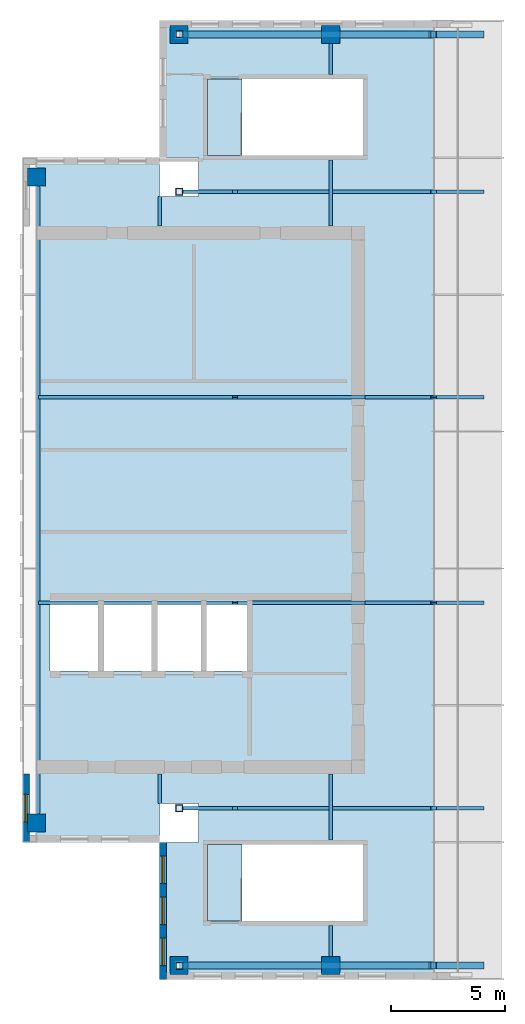
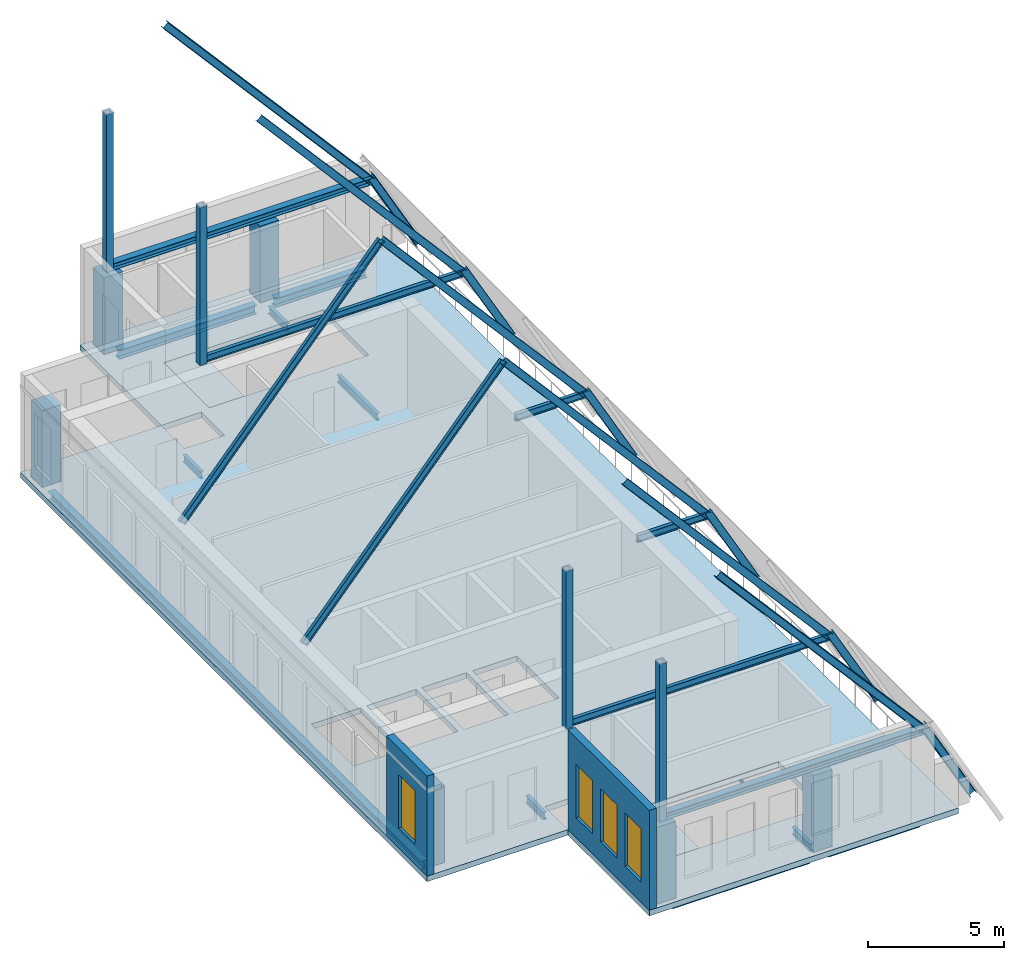
# One storey, part 1 of 4: 24 members, 11 beams, 6 columns, 4 windows, 3 slabs, 2 walls, 4 openings.
"""IFC4 building model written with IfcOpenShell, lengths in metres."""

from ifc_helpers import new_model, si_unit, direction, frame, frame_2d, origin, origin_2d, place, context, subcontext, project, spatial, polyline, rectangle, hollow_rectangle, i_section, outline, extrude, source, transform, mapped, material, layer, layer_set, material_profile, profile_set, type_object, element, fill, save


model = new_model("IFC4")

# Units and contexts
model_context = context("Model", 3, precision=1e-05, world=origin(), true_north=direction((0.0, 1.0)))
body_context = subcontext(model_context, "Body", "Model", "MODEL_VIEW")
ifc_project = project(units=[si_unit("LENGTHUNIT", "METRE"), si_unit("AREAUNIT", "SQUARE_METRE"), si_unit("VOLUMEUNIT", "CUBIC_METRE"), si_unit("PLANEANGLEUNIT", "RADIAN"), si_unit("MASSUNIT", "GRAM", prefix="KILO")], contexts=[model_context])

# Site, building, storey
site_placement = place(None, origin())
site = spatial("IfcSite", under=ifc_project, at=site_placement, CompositionType="ELEMENT")
building_placement = place(site_placement, origin())
building = spatial("IfcBuilding", under=site, at=building_placement, Name="Khomas Fold Tower", CompositionType="ELEMENT")
storey_placement = place(building_placement, frame((0.0, 0.0, 352.699951171875)))
storey = spatial("IfcBuildingStorey", under=building, at=storey_placement, Name="C6", CompositionType="ELEMENT", Elevation=352.699951171875)

# Columns
ifc_material_1 = material(Name="Concrete C50/60", Category="concrete")
ifc_material_profile_1 = material_profile(ifc_material_1, rectangle(XDim=0.800048828125, YDim=0.800048828125, at=origin_2d()), Name="RC 800x800")
ifc_profile_set_1 = profile_set([ifc_material_profile_1], Name="Concrete C50/60")
column_type = type_object("IfcColumnType", Name="RC 800x800 column", PredefinedType="COLUMN", material=ifc_profile_set_1)
shared_shape_1 = source(origin(), body_context, "Body", "SweptSolid", [
    extrude(rectangle(XDim=0.800048828125, YDim=0.800048828125, at=origin_2d()), origin(), (0.0, 0.0, 1.0), 3.449951171875),
])
for number, where, z_axis, x_axis, name in (
    (1, (12.85009765625, 6.60009765625, 0.0), (0.0, 0.0, 1.0), (1.0, 0.0, 0.0), "C-7-SF5"),
    (2, (19.5, 6.60009765625, 0.0), (0.0, 0.0, 1.0), (1.0, 0.0, 0.0), "C-8-SF5"),
    (3, (12.85009765625, 47.39990234375, 0.0), (0.0, 0.0, 1.0), (1.0, 0.0, 0.0), "C-7-NF5"),
    (4, (19.5, 47.39990234375, 0.0), (0.0, 0.0, 1.0), (1.0, 0.0, 0.0), "C-8-NF5"),
    (5, (6.60009765625, 12.85009765625, 0.0), (0.0, 0.0, 1.0), (1.0, 0.0, 0.0), "C-W5-G"),
    (6, (6.60009765625, 41.14990234375, 0.0), (0.0, 0.0, 1.0), (1.0, 0.0, 0.0), "C-W5-Q"),
):
    element("IfcColumn", number, at=place(storey_placement, frame(where, z_axis=z_axis, x_axis=x_axis)), inside=storey, type_object=column_type, Name=name, PredefinedType="COLUMN", context=body_context, shape_type="MappedRepresentation", body=[
        mapped(shared_shape_1, transform((0.0, 0.0, 0.0))),
    ])

# Beams
ifc_material_2 = material(Name="Steel S355", Category="steel")
ifc_material_profile_2 = material_profile(ifc_material_2, i_section(OverallWidth=0.159912109375, OverallDepth=0.330078125, WebThickness=0.007568359375, FlangeThickness=0.011474609375, at=origin_2d()), Name="IPE 330")
ifc_profile_set_2 = profile_set([ifc_material_profile_2], Name="Steel S355")
beam_type_1 = type_object("IfcBeamType", Name="IPE 330 beam JB1", PredefinedType="BEAM", material=ifc_profile_set_2)
shared_shape_2 = source(origin(), body_context, "Body", "SweptSolid", [
    extrude(i_section(OverallWidth=0.159912109375, OverallDepth=0.330078125, WebThickness=0.007568359375, FlangeThickness=0.011474609375, at=origin_2d()), origin(), (0.0, 0.0, 1.0), 2.89990234375),
])
for number, where, z_axis, x_axis, name in (
    (7, (19.5, 12.10009765625, -0.4150390625), (0.0, 1.0, 0.0), (-1.0, 0.0, 0.0), "JB1"),
    (8, (19.5, 39.0, -0.4150390625), (0.0, 1.0, 0.0), (-1.0, 0.0, 0.0), "JB1"),
):
    element("IfcBeam", number, at=place(storey_placement, frame(where, z_axis=z_axis, x_axis=x_axis)), inside=storey, type_object=beam_type_1, Name=name, PredefinedType="BEAM", context=body_context, shape_type="MappedRepresentation", body=[
        mapped(shared_shape_2, transform((0.0, 0.0, 0.0))),
    ])
shared_shape_3 = source(origin(), body_context, "Body", "SweptSolid", [
    extrude(i_section(OverallWidth=0.159912109375, OverallDepth=0.330078125, WebThickness=0.007568359375, FlangeThickness=0.011474609375, at=origin_2d()), origin(), (0.0, 0.0, 1.0), 1.35009765625),
])
for number, where, z_axis, x_axis, name in (
    (9, (19.5, 7.0, -0.4150390625), (0.0, 1.0, 0.0), (-1.0, 0.0, 0.0), "JB1"),
    (10, (19.5, 45.64990234375, -0.4150390625), (0.0, 1.0, 0.0), (-1.0, 0.0, 0.0), "JB1"),
):
    element("IfcBeam", number, at=place(storey_placement, frame(where, z_axis=z_axis, x_axis=x_axis)), inside=storey, type_object=beam_type_1, Name=name, PredefinedType="BEAM", context=body_context, shape_type="MappedRepresentation", body=[
        mapped(shared_shape_3, transform((0.0, 0.0, 0.0))),
    ])
ifc_material_3 = material(Name="Steel S355", Category="steel")
ifc_material_profile_3 = material_profile(ifc_material_3, i_section(OverallWidth=0.300048828125, OverallDepth=0.39990234375, WebThickness=0.013427734375, FlangeThickness=0.02392578125, at=origin_2d()), Name="HE 400 B")
ifc_profile_set_3 = profile_set([ifc_material_profile_3], Name="Steel S355")
beam_type_2 = type_object("IfcBeamType", Name="HE 400 B spandrel SB5", PredefinedType="SPANDREL", material=ifc_profile_set_3)
shared_shape_4 = source(origin(), body_context, "Body", "SweptSolid", [
    extrude(i_section(OverallWidth=0.300048828125, OverallDepth=0.39990234375, WebThickness=0.013427734375, FlangeThickness=0.02392578125, at=origin_2d()), origin(), (0.0, 0.0, 1.0), 5.85009765625),
])
for number, where, z_axis, x_axis, name in (
    (11, (13.25, 6.60009765625, -0.449951171875), (1.0, 0.0, 0.0), (0.0, 1.0, 0.0), "SB5"),
    (12, (13.25, 47.39990234375, -0.449951171875), (1.0, 0.0, 0.0), (0.0, 1.0, 0.0), "SB5"),
):
    element("IfcBeam", number, at=place(storey_placement, frame(where, z_axis=z_axis, x_axis=x_axis)), inside=storey, type_object=beam_type_2, Name=name, PredefinedType="SPANDREL", context=body_context, shape_type="MappedRepresentation", body=[
        mapped(shared_shape_4, transform((0.0, 0.0, 0.0))),
    ])
shared_shape_5 = source(origin(), body_context, "Body", "SweptSolid", [
    extrude(i_section(OverallWidth=0.300048828125, OverallDepth=0.39990234375, WebThickness=0.013427734375, FlangeThickness=0.02392578125, at=origin_2d()), origin(), (0.0, 0.0, 1.0), 27.5),
])
beam_placement = place(storey_placement, frame((6.60009765625, 13.25, -0.449951171875), z_axis=(0.0, 1.0, 0.0), x_axis=(-1.0, 0.0, 0.0)))
element("IfcBeam", 13, at=beam_placement, inside=storey, type_object=beam_type_2, Name="SB5", PredefinedType="SPANDREL", context=body_context, shape_type="MappedRepresentation", body=[
    mapped(shared_shape_5, transform((0.0, 0.0, 0.0))),
])
shared_shape_6 = source(origin(), body_context, "Body", "SweptSolid", [
    extrude(i_section(OverallWidth=0.159912109375, OverallDepth=0.330078125, WebThickness=0.007568359375, FlangeThickness=0.011474609375, at=origin_2d()), origin(), (0.0, 0.0, 1.0), 1.300048828125),
])
for number, where, z_axis, x_axis, name in (
    (14, (12.0, 13.699951171875, -0.4150390625), (0.0, 1.0, 0.0), (-1.0, 0.0, 0.0), "JB1"),
    (15, (12.0, 39.0, -0.4150390625), (0.0, 1.0, 0.0), (-1.0, 0.0, 0.0), "JB1"),
):
    element("IfcBeam", number, at=place(storey_placement, frame(where, z_axis=z_axis, x_axis=x_axis)), inside=storey, type_object=beam_type_1, Name=name, PredefinedType="BEAM", context=body_context, shape_type="MappedRepresentation", body=[
        mapped(shared_shape_6, transform((0.0, 0.0, 0.0))),
    ])
shared_shape_7 = source(origin(), body_context, "Body", "SweptSolid", [
    extrude(i_section(OverallWidth=0.300048828125, OverallDepth=0.39990234375, WebThickness=0.013427734375, FlangeThickness=0.02392578125, at=origin_2d()), origin(), (0.0, 0.0, 1.0), 3.900146484375),
])
for number, where, z_axis, x_axis, name in (
    (16, (19.89990234375, 6.60009765625, -0.449951171875), (1.0, 0.0, 0.0), (0.0, 1.0, 0.0), "SB5"),
    (17, (19.89990234375, 47.39990234375, -0.449951171875), (1.0, 0.0, 0.0), (0.0, 1.0, 0.0), "SB5"),
):
    element("IfcBeam", number, at=place(storey_placement, frame(where, z_axis=z_axis, x_axis=x_axis)), inside=storey, type_object=beam_type_2, Name=name, PredefinedType="SPANDREL", context=body_context, shape_type="MappedRepresentation", body=[
        mapped(shared_shape_7, transform((0.0, 0.0, 0.0))),
    ])

# Members
ifc_material_4 = material(Name="Steel S355", Category="steel")
ifc_material_profile_4 = material_profile(ifc_material_4, i_section(OverallWidth=0.300048828125, OverallDepth=0.300048828125, WebThickness=0.010986328125, FlangeThickness=0.01904296875, at=origin_2d()), Name="HE 300 B")
ifc_profile_set_4 = profile_set([ifc_material_profile_4], Name="Steel S355")
member_type_1 = type_object("IfcMemberType", Name="ROOF RAFTER W C6 HE 300 B", PredefinedType="RAFTER", material=ifc_profile_set_4)
shared_shape_8 = source(origin(), body_context, "Body", "SweptSolid", [
    extrude(i_section(OverallWidth=0.300048828125, OverallDepth=0.300048828125, WebThickness=0.010986328125, FlangeThickness=0.01904296875, at=origin_2d()), origin(), (0.0, 0.0, 1.0), 4.296630859375),
])
for number, where, z_axis, x_axis, name in (
    (18, (26.079345703125, 6.60009765625, 0.0), (-0.483943819585, 0.0, 0.875099068384), (0.0, -1.0, 0.0), "CF-R1-W-C6"),
    (19, (26.079345703125, 47.39990234375, 0.0), (-0.483943819585, 0.0, 0.875099068384), (0.0, -1.0, 0.0), "CF-R1-W-C6"),
):
    element("IfcMember", number, at=place(storey_placement, frame(where, z_axis=z_axis, x_axis=x_axis)), inside=storey, type_object=member_type_1, Name=name, PredefinedType="RAFTER", context=body_context, shape_type="MappedRepresentation", body=[
        mapped(shared_shape_8, transform((0.0, 0.0, 0.0))),
    ])
ifc_material_5 = material(Name="Steel S355", Category="steel")
ifc_material_profile_5 = material_profile(ifc_material_5, i_section(OverallWidth=0.14990234375, OverallDepth=0.300048828125, WebThickness=0.007080078125, FlangeThickness=0.0107421875, at=origin_2d()), Name="IPE 300")
ifc_profile_set_5 = profile_set([ifc_material_profile_5], Name="Steel S355")
member_type_2 = type_object("IfcMemberType", Name="ROOF RAFTER W C6 IPE 300", PredefinedType="RAFTER", material=ifc_profile_set_5)
shared_shape_9 = source(origin(), body_context, "Body", "SweptSolid", [
    extrude(i_section(OverallWidth=0.14990234375, OverallDepth=0.300048828125, WebThickness=0.007080078125, FlangeThickness=0.0107421875, at=origin_2d()), origin(), (0.0, 0.0, 1.0), 4.296630859375),
])
for number, where, z_axis, x_axis, name in (
    (20, (26.079345703125, 13.5, 0.0), (-0.483943819585, 0.0, 0.875099068384), (0.0, -1.0, 0.0), "CF-R2-W-C6"),
    (21, (26.079345703125, 22.5, 0.0), (-0.483943819585, 0.0, 0.875099068384), (0.0, -1.0, 0.0), "CF-R2-W-C6"),
    (22, (26.079345703125, 31.5, 0.0), (-0.483943819585, 0.0, 0.875099068384), (0.0, -1.0, 0.0), "CF-R2-W-C6"),
    (23, (26.079345703125, 40.5, 0.0), (-0.483943819585, 0.0, 0.875099068384), (0.0, -1.0, 0.0), "CF-R2-W-C6"),
):
    element("IfcMember", number, at=place(storey_placement, frame(where, z_axis=z_axis, x_axis=x_axis)), inside=storey, type_object=member_type_2, Name=name, PredefinedType="RAFTER", context=body_context, shape_type="MappedRepresentation", body=[
        mapped(shared_shape_9, transform((0.0, 0.0, 0.0))),
    ])
ifc_material_6 = material(Name="Steel S355", Category="steel")
ifc_material_profile_6 = material_profile(ifc_material_6, i_section(OverallWidth=0.300048828125, OverallDepth=0.300048828125, WebThickness=0.010986328125, FlangeThickness=0.01904296875, at=origin_2d()), Name="HE 300 B")
ifc_profile_set_6 = profile_set([ifc_material_profile_6], Name="Steel S355")
member_type_3 = type_object("IfcMemberType", Name="FLAT ROOF RAFTER C6 HE 300 B", PredefinedType="RAFTER", material=ifc_profile_set_6)
shared_shape_10 = source(origin(), body_context, "Body", "SweptSolid", [
    extrude(i_section(OverallWidth=0.300048828125, OverallDepth=0.300048828125, WebThickness=0.010986328125, FlangeThickness=0.01904296875, at=origin_2d()), origin(), (0.0, 0.0, 1.0), 11.14990234375),
])
for number, where, z_axis, x_axis, name in (
    (24, (12.85009765625, 6.60009765625, 3.60009765625), (1.0, 0.0, 0.0), (0.0, 1.0, 0.0), "CF-R4-C6"),
    (25, (12.85009765625, 47.39990234375, 3.60009765625), (1.0, 0.0, 0.0), (0.0, 1.0, 0.0), "CF-R4-C6"),
):
    element("IfcMember", number, at=place(storey_placement, frame(where, z_axis=z_axis, x_axis=x_axis)), inside=storey, type_object=member_type_3, Name=name, PredefinedType="RAFTER", context=body_context, shape_type="MappedRepresentation", body=[
        mapped(shared_shape_10, transform((0.0, 0.0, 0.0))),
    ])
ifc_material_7 = material(Name="Steel S355", Category="steel")
ifc_material_profile_7 = material_profile(ifc_material_7, i_section(OverallWidth=0.14990234375, OverallDepth=0.300048828125, WebThickness=0.007080078125, FlangeThickness=0.0107421875, at=origin_2d()), Name="IPE 300")
ifc_profile_set_7 = profile_set([ifc_material_profile_7], Name="Steel S355")
member_type_4 = type_object("IfcMemberType", Name="FLAT ROOF RAFTER C6 IPE 300", PredefinedType="RAFTER", material=ifc_profile_set_7)
shared_shape_11 = source(origin(), body_context, "Body", "SweptSolid", [
    extrude(i_section(OverallWidth=0.14990234375, OverallDepth=0.300048828125, WebThickness=0.007080078125, FlangeThickness=0.0107421875, at=origin_2d()), origin(), (0.0, 0.0, 1.0), 11.14990234375),
])
for number, where, z_axis, x_axis, name in (
    (26, (12.85009765625, 13.5, 3.60009765625), (1.0, 0.0, 0.0), (0.0, 1.0, 0.0), "CF-R3-C6"),
    (27, (12.85009765625, 40.5, 3.60009765625), (1.0, 0.0, 0.0), (0.0, 1.0, 0.0), "CF-R3-C6"),
):
    element("IfcMember", number, at=place(storey_placement, frame(where, z_axis=z_axis, x_axis=x_axis)), inside=storey, type_object=member_type_4, Name=name, PredefinedType="RAFTER", context=body_context, shape_type="MappedRepresentation", body=[
        mapped(shared_shape_11, transform((0.0, 0.0, 0.0))),
    ])
shared_shape_12 = source(origin(), body_context, "Body", "SweptSolid", [
    extrude(i_section(OverallWidth=0.14990234375, OverallDepth=0.300048828125, WebThickness=0.007080078125, FlangeThickness=0.0107421875, at=origin_2d()), origin(), (0.0, 0.0, 1.0), 3.0),
])
for number, where, z_axis, x_axis, name in (
    (28, (21.0, 22.5, 3.60009765625), (1.0, 0.0, 0.0), (0.0, 1.0, 0.0), "CF-R3-C6"),
    (29, (21.0, 31.5, 3.60009765625), (1.0, 0.0, 0.0), (0.0, 1.0, 0.0), "CF-R3-C6"),
):
    element("IfcMember", number, at=place(storey_placement, frame(where, z_axis=z_axis, x_axis=x_axis)), inside=storey, type_object=member_type_4, Name=name, PredefinedType="RAFTER", context=body_context, shape_type="MappedRepresentation", body=[
        mapped(shared_shape_12, transform((0.0, 0.0, 0.0))),
    ])
ifc_material_8 = material(Name="Steel S355", Category="steel")
ifc_material_profile_8 = material_profile(ifc_material_8, i_section(OverallWidth=0.300048828125, OverallDepth=0.300048828125, WebThickness=0.010986328125, FlangeThickness=0.01904296875, at=origin_2d()), Name="HE 300 B")
ifc_profile_set_8 = profile_set([ifc_material_profile_8], Name="Steel S355")
member_type_5 = type_object("IfcMemberType", Name="GABLE RAFTER E C6 HE 300 B", PredefinedType="RAFTER", material=ifc_profile_set_8)
shared_shape_13 = source(origin(), body_context, "Body", "SweptSolid", [
    extrude(i_section(OverallWidth=0.300048828125, OverallDepth=0.300048828125, WebThickness=0.010986328125, FlangeThickness=0.01904296875, at=origin_2d()), origin(), (0.0, 0.0, 1.0), 13.2548828125),
])
for number, where, z_axis, x_axis, name in (
    (30, (15.300048828125, 6.60009765625, 13.60009765625), (0.656363381591, 0.0, -0.754444902764), (0.0, 1.0, 0.0), "CF-R6-E-C6"),
    (31, (15.300048828125, 47.39990234375, 13.60009765625), (0.656363381591, 0.0, -0.754444902764), (0.0, 1.0, 0.0), "CF-R6-E-C6"),
):
    element("IfcMember", number, at=place(storey_placement, frame(where, z_axis=z_axis, x_axis=x_axis)), inside=storey, type_object=member_type_5, Name=name, PredefinedType="RAFTER", context=body_context, shape_type="MappedRepresentation", body=[
        mapped(shared_shape_13, transform((0.0, 0.0, 0.0))),
    ])
ifc_material_9 = material(Name="Steel S355", Category="steel")
ifc_material_profile_9 = material_profile(ifc_material_9, hollow_rectangle(XDim=0.300048828125, YDim=0.300048828125, WallThickness=0.01611328125, at=origin_2d()), Name="SHS 300x300x16")
ifc_profile_set_9 = profile_set([ifc_material_profile_9], Name="Steel S355")
member_type_6 = type_object("IfcMemberType", Name="GABLE POST C6 SHS 300x300x16", PredefinedType="POST", material=ifc_profile_set_9)
shared_shape_14 = source(origin(), body_context, "Body", "SweptSolid", [
    extrude(hollow_rectangle(XDim=0.300048828125, YDim=0.300048828125, WallThickness=0.01611328125, at=origin_2d()), origin(), (0.0, 0.0, 1.0), 7.10546875),
])
for number, where, z_axis, x_axis, name in (
    (32, (12.85009765625, 6.60009765625, 3.449951171875), (0.0, 0.0, 1.0), (1.0, 0.0, 0.0), "CF-PG-C6"),
    (33, (12.85009765625, 13.5, 3.449951171875), (0.0, 0.0, 1.0), (1.0, 0.0, 0.0), "CF-PG-C6"),
    (34, (12.85009765625, 40.5, 3.449951171875), (0.0, 0.0, 1.0), (1.0, 0.0, 0.0), "CF-PG-C6"),
    (35, (12.85009765625, 47.39990234375, 3.449951171875), (0.0, 0.0, 1.0), (1.0, 0.0, 0.0), "CF-PG-C6"),
):
    element("IfcMember", number, at=place(storey_placement, frame(where, z_axis=z_axis, x_axis=x_axis)), inside=storey, type_object=member_type_6, Name=name, PredefinedType="POST", context=body_context, shape_type="MappedRepresentation", body=[
        mapped(shared_shape_14, transform((0.0, 0.0, 0.0))),
    ])
ifc_material_10 = material(Name="Steel S355", Category="steel")
ifc_material_profile_10 = material_profile(ifc_material_10, i_section(OverallWidth=0.14990234375, OverallDepth=0.300048828125, WebThickness=0.007080078125, FlangeThickness=0.0107421875, at=origin_2d()), Name="IPE 300")
ifc_profile_set_10 = profile_set([ifc_material_profile_10], Name="Steel S355")
member_type_7 = type_object("IfcMemberType", Name="GABLE RAFTER E C6 IPE 300", PredefinedType="RAFTER", material=ifc_profile_set_10)
shared_shape_15 = source(origin(), body_context, "Body", "SweptSolid", [
    extrude(i_section(OverallWidth=0.14990234375, OverallDepth=0.300048828125, WebThickness=0.007080078125, FlangeThickness=0.0107421875, at=origin_2d()), origin(), (0.0, 0.0, 1.0), 13.2548828125),
])
for number, where, z_axis, x_axis, name in (
    (36, (15.300048828125, 13.5, 13.60009765625), (0.656363381591, 0.0, -0.754444902764), (0.0, 1.0, 0.0), "CF-R5-E-C6"),
    (37, (15.300048828125, 22.5, 13.60009765625), (0.656363381591, 0.0, -0.754444902764), (0.0, 1.0, 0.0), "CF-R5-E-C6"),
    (38, (15.300048828125, 31.5, 13.60009765625), (0.656363381591, 0.0, -0.754444902764), (0.0, 1.0, 0.0), "CF-R5-E-C6"),
    (39, (15.300048828125, 40.5, 13.60009765625), (0.656363381591, 0.0, -0.754444902764), (0.0, 1.0, 0.0), "CF-R5-E-C6"),
):
    element("IfcMember", number, at=place(storey_placement, frame(where, z_axis=z_axis, x_axis=x_axis)), inside=storey, type_object=member_type_7, Name=name, PredefinedType="RAFTER", context=body_context, shape_type="MappedRepresentation", body=[
        mapped(shared_shape_15, transform((0.0, 0.0, 0.0))),
    ])
ifc_material_11 = material(Name="Steel S355", Category="steel")
ifc_material_profile_11 = material_profile(ifc_material_11, i_section(OverallWidth=0.14990234375, OverallDepth=0.300048828125, WebThickness=0.007080078125, FlangeThickness=0.0107421875, at=origin_2d()), Name="IPE 300")
ifc_profile_set_11 = profile_set([ifc_material_profile_11], Name="Steel S355")
member_type_8 = type_object("IfcMemberType", Name="GABLE RAFTER W C6 IPE 300", PredefinedType="RAFTER", material=ifc_profile_set_11)
shared_shape_16 = source(origin(), body_context, "Body", "SweptSolid", [
    extrude(i_section(OverallWidth=0.14990234375, OverallDepth=0.300048828125, WebThickness=0.007080078125, FlangeThickness=0.0107421875, at=origin_2d()), origin(), (0.0, 0.0, 1.0), 12.9501953125),
])
for number, where, z_axis, x_axis, name in (
    (40, (6.800048828125, 22.5, 3.829833984375), (0.65635979123, 0.0, 0.754448026345), (0.0, 1.0, 0.0), "CF-R5-W-C6"),
    (41, (6.800048828125, 31.5, 3.829833984375), (0.65635979123, 0.0, 0.754448026345), (0.0, 1.0, 0.0), "CF-R5-W-C6"),
):
    element("IfcMember", number, at=place(storey_placement, frame(where, z_axis=z_axis, x_axis=x_axis)), inside=storey, type_object=member_type_8, Name=name, PredefinedType="RAFTER", context=body_context, shape_type="MappedRepresentation", body=[
        mapped(shared_shape_16, transform((0.0, 0.0, 0.0))),
    ])

# Slabs
ifc_material_12 = material(Name="Concrete C40/50", Category="concrete")
ifc_layer_1 = layer(ifc_material_12, 0.25)
ifc_layer_set_1 = layer_set([ifc_layer_1], Name="Concrete C40/50")
slab_type_1 = type_object("IfcSlabType", Name="RC floor slab 250", PredefinedType="FLOOR", material=ifc_layer_set_1)
shared_shape_17 = source(origin(), body_context, "Body", "SweptSolid", [
    extrude(outline(polyline([(6.0, 12.0), (11.9951171875, 12.0), (11.9951171875, 13.705078125), (13.705078125, 13.705078125), (13.705078125, 11.9951171875), (12.0, 11.9951171875), (12.0, 6.0), (25.161376953125, 6.0), (25.161376953125, 48.0), (12.0, 48.0), (12.0, 42.0048828125), (13.705078125, 42.0048828125), (13.705078125, 40.294921875), (11.9951171875, 40.294921875), (11.9951171875, 42.0), (6.0, 42.0), (6.0, 12.0)]), holes=[polyline([(6.195068359375, 12.445068359375), (6.195068359375, 13.2548828125), (7.0048828125, 13.2548828125), (7.0048828125, 12.445068359375), (6.195068359375, 12.445068359375)]), polyline([(6.195068359375, 40.7451171875), (6.195068359375, 41.554931640625), (7.0048828125, 41.554931640625), (7.0048828125, 40.7451171875), (6.195068359375, 40.7451171875)]), polyline([(7.199951171875, 19.5), (7.199951171875, 22.60009765625), (9.300048828125, 22.60009765625), (9.300048828125, 19.5), (7.199951171875, 19.5)]), polyline([(9.550048828125, 19.5), (9.550048828125, 22.60009765625), (11.64990234375, 22.60009765625), (11.64990234375, 19.5), (9.550048828125, 19.5)]), polyline([(11.89990234375, 19.5), (11.89990234375, 22.60009765625), (13.800048828125, 22.60009765625), (13.800048828125, 19.5), (11.89990234375, 19.5)]), polyline([(12.445068359375, 6.195068359375), (12.445068359375, 7.0048828125), (13.2548828125, 7.0048828125), (13.2548828125, 6.195068359375), (12.445068359375, 6.195068359375)]), polyline([(12.445068359375, 46.9951171875), (12.445068359375, 47.804931640625), (13.2548828125, 47.804931640625), (13.2548828125, 46.9951171875), (12.445068359375, 46.9951171875)]), polyline([(14.050048828125, 19.5), (14.050048828125, 22.60009765625), (15.949951171875, 22.60009765625), (15.949951171875, 19.5), (14.050048828125, 19.5)]), polyline([(14.10009765625, 8.550048828125), (14.10009765625, 11.89990234375), (20.89990234375, 11.89990234375), (20.89990234375, 8.550048828125), (14.10009765625, 8.550048828125)]), polyline([(14.10009765625, 42.10009765625), (14.10009765625, 45.449951171875), (20.89990234375, 45.449951171875), (20.89990234375, 42.10009765625), (14.10009765625, 42.10009765625)]), polyline([(19.094970703125, 6.195068359375), (19.094970703125, 7.0048828125), (19.905029296875, 7.0048828125), (19.905029296875, 6.195068359375), (19.094970703125, 6.195068359375)]), polyline([(19.094970703125, 46.9951171875), (19.094970703125, 47.804931640625), (19.905029296875, 47.804931640625), (19.905029296875, 46.9951171875), (19.094970703125, 46.9951171875)])]), origin(), (0.0, 0.0, 1.0), 0.25),
])
slab_1_placement = place(storey_placement, frame((0.0, 0.0, -0.25)))
element("IfcSlab", 42, at=slab_1_placement, inside=storey, type_object=slab_type_1, Name="S-C6", PredefinedType="FLOOR", context=body_context, shape_type="MappedRepresentation", body=[
    mapped(shared_shape_17, transform((0.0, 0.0, 0.0))),
])
ifc_material_13 = material(Name="Concrete C40/50", Category="concrete")
ifc_layer_2 = layer(ifc_material_13, 0.25)
ifc_layer_set_2 = layer_set([ifc_layer_2], Name="Concrete C40/50")
slab_type_2 = type_object("IfcSlabType", Name="Stair floor landing 250", PredefinedType="LANDING", material=ifc_layer_set_2)
shared_shape_18 = source(origin(), body_context, "Body", "SweptSolid", [
    extrude(outline(polyline([(14.10009765625, 45.449951171875), (15.60009765625, 45.449951171875), (15.60009765625, 42.10009765625), (14.10009765625, 42.10009765625), (14.10009765625, 45.449951171875)])), origin(), (0.0, 0.0, 1.0), 0.25),
])
slab_2_placement = place(storey_placement, frame((0.0, 0.0, -0.25)))
element("IfcSlab", 43, at=slab_2_placement, inside=storey, type_object=slab_type_2, Name="ST1 floor landing", PredefinedType="LANDING", context=body_context, shape_type="MappedRepresentation", body=[
    mapped(shared_shape_18, transform((0.0, 0.0, 0.0))),
])
shared_shape_19 = source(origin(), body_context, "Body", "SweptSolid", [
    extrude(outline(polyline([(14.10009765625, 11.89990234375), (15.60009765625, 11.89990234375), (15.60009765625, 8.550048828125), (14.10009765625, 8.550048828125), (14.10009765625, 11.89990234375)])), origin(), (0.0, 0.0, 1.0), 0.25),
])
slab_3_placement = place(storey_placement, frame((0.0, 0.0, -0.25)))
element("IfcSlab", 44, at=slab_3_placement, inside=storey, type_object=slab_type_2, Name="ST2 floor landing", PredefinedType="LANDING", context=body_context, shape_type="MappedRepresentation", body=[
    mapped(shared_shape_19, transform((0.0, 0.0, 0.0))),
])

# Wall, openings, windows
ifc_material_14 = material(Name="Concrete C40/50", Category="concrete")
ifc_layer_3 = layer(ifc_material_14, 0.300048828125)
ifc_layer_set_3 = layer_set([ifc_layer_3], Name="Concrete C40/50")
wall_type = type_object("IfcWallType", Name="Crown gable wall 300 CR-GW1", PredefinedType="SOLIDWALL", material=ifc_layer_set_3)
shared_shape_20 = source(origin(), body_context, "Body", "SweptSolid", [
    extrude(rectangle(XDim=6.0, YDim=0.300048828125, at=frame_2d((3.0, 0.0))), origin(), (0.0, 0.0, 1.0), 4.5),
])
wall_1_placement = place(storey_placement, frame((12.14990234375, 12.0, 0.0), z_axis=(0.0, 0.0, 1.0), x_axis=(0.0, -1.0, 0.0)))
wall_1 = element("IfcWall", 45, at=wall_1_placement, inside=storey, type_object=wall_type, Name="Crown wall", PredefinedType="SOLIDWALL", context=body_context, shape_type="MappedRepresentation", body=[
    mapped(shared_shape_20, transform((0.0, 0.0, 0.0))),
])
shared_shape_21 = source(origin(), body_context, "Body", "SweptSolid", [
    extrude(rectangle(XDim=1.199951171875, YDim=2.39990234375, at=frame_2d((0.60009765625, 1.199951171875))), frame((0.0, 0.159912109375, 0.0), z_axis=(0.0, -1.0, 0.0), x_axis=(1.0, 0.0, 0.0)), (0.0, 0.0, 1.0), 0.320068359375),
])
opening_1_placement = place(wall_1_placement, frame((0.60009765625, 0.0, 0.89990234375)))
opening_1 = element("IfcOpeningElement", 46, at=opening_1_placement, cuts=wall_1, Name="Opening CR-LV", PredefinedType="OPENING", context=body_context, shape_type="MappedRepresentation", body=[
    mapped(shared_shape_21, transform((0.0, 0.0, 0.0))),
])
opening_2_placement = place(wall_1_placement, frame((2.39990234375, 0.0, 0.89990234375)))
opening_2 = element("IfcOpeningElement", 47, at=opening_2_placement, cuts=wall_1, Name="Opening CR-LV", PredefinedType="OPENING", context=body_context, shape_type="MappedRepresentation", body=[
    mapped(shared_shape_21, transform((0.0, 0.0, 0.0))),
])
opening_3_placement = place(wall_1_placement, frame((4.199951171875, 0.0, 0.89990234375)))
opening_3 = element("IfcOpeningElement", 48, at=opening_3_placement, cuts=wall_1, Name="Opening CR-LV", PredefinedType="OPENING", context=body_context, shape_type="MappedRepresentation", body=[
    mapped(shared_shape_21, transform((0.0, 0.0, 0.0))),
])
ifc_material_15 = material(Name="Aluminium louvre", Category="aluminium")
window_type = type_object("IfcWindowType", Name="Crown plant louvre 1200 x 2400", PartitioningType="SINGLE_PANEL", PredefinedType="WINDOW", material=ifc_material_15)
shared_shape_22 = source(origin(), body_context, "Body", "SweptSolid", [
    extrude(rectangle(XDim=1.199951171875, YDim=2.39990234375, at=frame_2d((0.60009765625, 1.199951171875))), frame((0.0, 0.030029296875, 0.0), z_axis=(0.0, -1.0, 0.0), x_axis=(1.0, 0.0, 0.0)), (0.0, 0.0, 1.0), 0.06005859375),
])
window_1_placement = place(opening_1_placement, origin())
window_1 = element("IfcWindow", 49, at=window_1_placement, inside=storey, type_object=window_type, Name="Crown plant louvre", OverallHeight=2.39990234375, OverallWidth=1.199951171875, PartitioningType="SINGLE_PANEL", PredefinedType="WINDOW", context=body_context, shape_type="MappedRepresentation", body=[
    mapped(shared_shape_22, transform((0.0, 0.0, 0.0))),
])
fill(opening_1, window_1)
window_2_placement = place(opening_2_placement, origin())
window_2 = element("IfcWindow", 50, at=window_2_placement, inside=storey, type_object=window_type, Name="Crown plant louvre", OverallHeight=2.39990234375, OverallWidth=1.199951171875, PartitioningType="SINGLE_PANEL", PredefinedType="WINDOW", context=body_context, shape_type="MappedRepresentation", body=[
    mapped(shared_shape_22, transform((0.0, 0.0, 0.0))),
])
fill(opening_2, window_2)
window_3_placement = place(opening_3_placement, origin())
window_3 = element("IfcWindow", 51, at=window_3_placement, inside=storey, type_object=window_type, Name="Crown plant louvre", OverallHeight=2.39990234375, OverallWidth=1.199951171875, PartitioningType="SINGLE_PANEL", PredefinedType="WINDOW", context=body_context, shape_type="MappedRepresentation", body=[
    mapped(shared_shape_22, transform((0.0, 0.0, 0.0))),
])
fill(opening_3, window_3)

# Wall, opening, window
shared_shape_23 = source(origin(), body_context, "Body", "SweptSolid", [
    extrude(rectangle(XDim=3.0, YDim=0.300048828125, at=frame_2d((1.5, 0.0))), origin(), (0.0, 0.0, 1.0), 4.5),
])
wall_2_placement = place(storey_placement, frame((6.14990234375, 15.0, 0.0), z_axis=(0.0, 0.0, 1.0), x_axis=(0.0, -1.0, 0.0)))
wall_2 = element("IfcWall", 52, at=wall_2_placement, inside=storey, type_object=wall_type, Name="Crown wall", PredefinedType="SOLIDWALL", context=body_context, shape_type="MappedRepresentation", body=[
    mapped(shared_shape_23, transform((0.0, 0.0, 0.0))),
])
opening_4_placement = place(wall_2_placement, frame((0.89990234375, 0.0, 0.89990234375)))
opening_4 = element("IfcOpeningElement", 53, at=opening_4_placement, cuts=wall_2, Name="Opening CR-LV", PredefinedType="OPENING", context=body_context, shape_type="MappedRepresentation", body=[
    mapped(shared_shape_21, transform((0.0, 0.0, 0.0))),
])
window_4_placement = place(opening_4_placement, origin())
window_4 = element("IfcWindow", 54, at=window_4_placement, inside=storey, type_object=window_type, Name="Crown plant louvre", OverallHeight=2.39990234375, OverallWidth=1.199951171875, PartitioningType="SINGLE_PANEL", PredefinedType="WINDOW", context=body_context, shape_type="MappedRepresentation", body=[
    mapped(shared_shape_22, transform((0.0, 0.0, 0.0))),
])
fill(opening_4, window_4)

save(model, "model.ifc")
